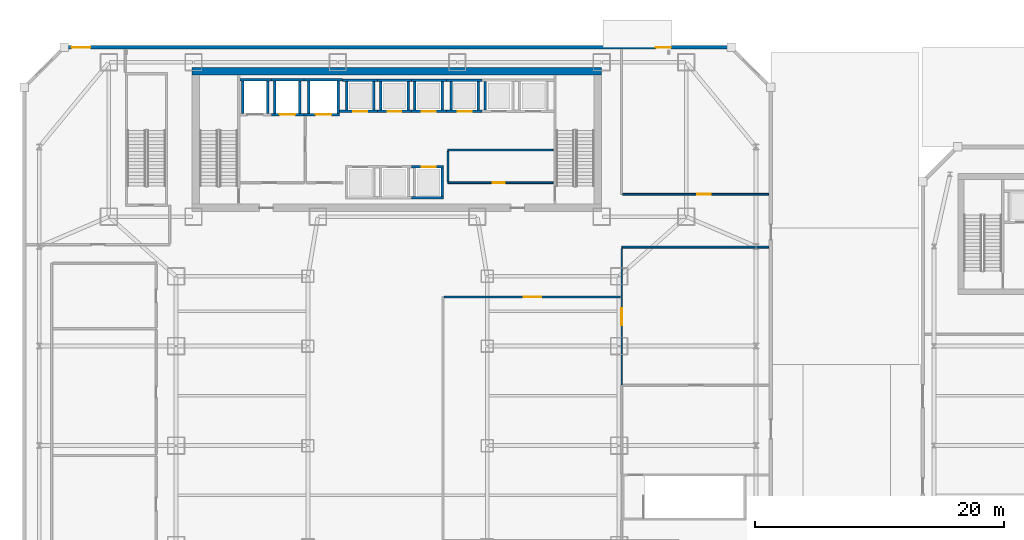
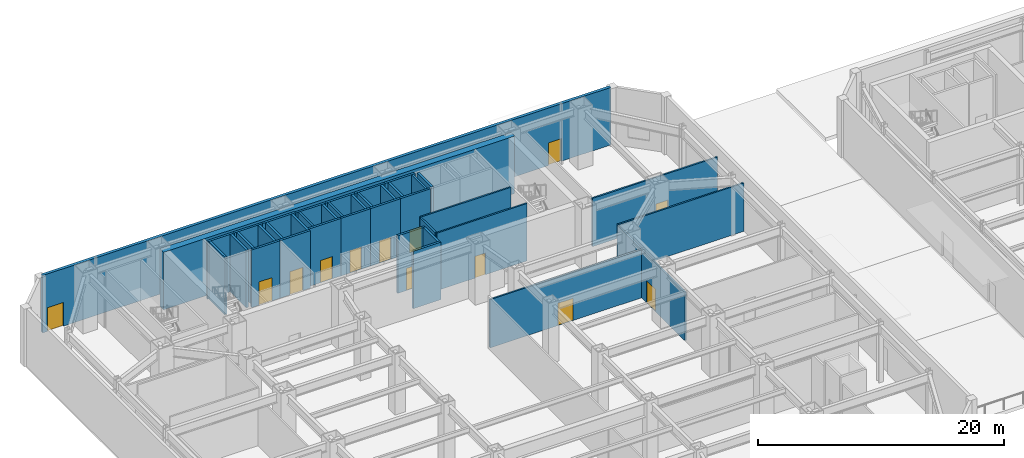
# One storey, part 13 of 23: 40 walls, 13 doors, 13 openings.
"""IFC4 building model written with IfcOpenShell, lengths in metres."""

from ifc_helpers import new_model, si_unit, direction, frame, frame_2d, origin, place, context, subcontext, project, spatial, rectangle, extrude, material, layer, layer_set, type_object, element, fill, save


model = new_model("IFC4")

# Units and contexts
model_context = context("Model", 3, precision=1e-05, world=origin(), true_north=direction((0.0, 1.0)))
body_context = subcontext(model_context, "Body", "Model", "MODEL_VIEW")
ifc_project = project(units=[si_unit("LENGTHUNIT", "METRE"), si_unit("AREAUNIT", "SQUARE_METRE"), si_unit("VOLUMEUNIT", "CUBIC_METRE"), si_unit("PLANEANGLEUNIT", "RADIAN"), si_unit("MASSUNIT", "GRAM", prefix="KILO")], contexts=[model_context])

# Site, building, storey
site_placement = place(None, origin())
site = spatial("IfcSite", under=ifc_project, at=site_placement, CompositionType="ELEMENT")
building_placement = place(site_placement, origin())
building = spatial("IfcBuilding", under=site, at=building_placement, Name="Saevonmaru Cultural Tower", CompositionType="ELEMENT")
storey_placement = place(building_placement, origin())
storey = spatial("IfcBuildingStorey", under=building, at=storey_placement, Name="L00", CompositionType="ELEMENT", Elevation=0.0)

# Wall
ifc_material_1 = material(Name="Concrete C60/75", Category="concrete")
ifc_layer_1 = layer(ifc_material_1, 0.60009765625, Name="Concrete C60/75")
ifc_layer_set_1 = layer_set([ifc_layer_1], Name="Concrete C60/75")
wall_type_1 = type_object("IfcWallType", Name="WL-CORE-600", PredefinedType="SHEAR", material=ifc_layer_set_1)
wall_1_placement = place(storey_placement, frame((13.5, 54.10009765625, 0.0), z_axis=(0.0, 0.0, 1.0), x_axis=(1.0, 0.0, 0.0)))
element("IfcWall", 1, at=wall_1_placement, inside=storey, type_object=wall_type_1, Name="L00 Tower RC core shear wall N", PredefinedType="SHEAR", context=body_context, shape_type="SweptSolid", body=[
    extrude(rectangle(XDim=32.89990234375, YDim=0.60009765625, at=frame_2d((16.449951171875, 0.0))), origin(), (0.0, 0.0, 1.0), 5.699951171875),
])

# Wall, opening, door
ifc_material_2 = material(Name="Gypsum Fireboard Partition", Category="gypsum")
ifc_layer_2 = layer(ifc_material_2, 0.14990234375, Name="Gypsum Fireboard Partition")
ifc_layer_set_2 = layer_set([ifc_layer_2], Name="Gypsum Fireboard Partition")
wall_type_2 = type_object("IfcWallType", Name="WL-CORE-PART-150", PredefinedType="PARTITIONING", material=ifc_layer_set_2)
wall_2_placement = place(storey_placement, frame((34.050048828125, 45.1201171875, 0.0), z_axis=(0.0, 0.0, 1.0), x_axis=(1.0, 0.0, 0.0)))
wall_2 = element("IfcWall", 2, at=wall_2_placement, inside=storey, type_object=wall_type_2, Name="L00 Core Service South Wall", PredefinedType="PARTITIONING", context=body_context, shape_type="SweptSolid", body=[
    extrude(rectangle(XDim=8.449951171875, YDim=0.14990234375, at=frame_2d((4.22509765625, 0.0))), origin(), (0.0, 0.0, 1.0), 5.699951171875),
])
opening_1_placement = place(wall_2_placement, frame((3.60009765625, 0.0, 0.0)))
opening_1 = element("IfcOpeningElement", 3, at=opening_1_placement, cuts=wall_2, Name="Opening FD-4", PredefinedType="OPENING", context=body_context, shape_type="SweptSolid", body=[
    extrude(rectangle(XDim=0.949951171875, YDim=2.14990234375, at=frame_2d((0.47509765625, 1.074951171875))), frame((0.0, 0.0849609375, 0.0), z_axis=(0.0, -1.0, 0.0), x_axis=(1.0, 0.0, 0.0)), (0.0, 0.0, 1.0), 0.169921875),
])
ifc_material_3 = material(Name="Satin Bronze Anodised Aluminium", Category="aluminium")
door_type_1 = type_object("IfcDoorType", Name="DR-FD60-950", OperationType="SINGLE_SWING_LEFT", PredefinedType="DOOR", material=ifc_material_3)
door_1_placement = place(opening_1_placement, origin())
door_1 = element("IfcDoor", 4, at=door_1_placement, inside=storey, type_object=door_type_1, Name="L00 Telecom Riser Plant Door", OperationType="SINGLE_SWING_LEFT", OverallHeight=2.14990234375, OverallWidth=0.949951171875, PredefinedType="DOOR", context=body_context, shape_type="SweptSolid", body=[
    extrude(rectangle(XDim=0.949951171875, YDim=2.14990234375, at=frame_2d((0.47509765625, 1.074951171875))), frame((0.0, 0.02490234375, 0.0), z_axis=(0.0, -1.0, 0.0), x_axis=(1.0, 0.0, 0.0)), (0.0, 0.0, 1.0), 0.050048828125),
])
fill(opening_1, door_1)

# Walls
wall_3_placement = place(storey_placement, frame((34.050048828125, 47.75, 0.0), z_axis=(0.0, 0.0, 1.0), x_axis=(1.0, 0.0, 0.0)))
element("IfcWall", 5, at=wall_3_placement, inside=storey, type_object=wall_type_2, Name="L00 Core Service North Wall", PredefinedType="PARTITIONING", context=body_context, shape_type="SweptSolid", body=[
    extrude(rectangle(XDim=8.449951171875, YDim=0.14990234375, at=frame_2d((4.22509765625, 0.0))), origin(), (0.0, 0.0, 1.0), 5.699951171875),
])
wall_4_placement = place(storey_placement, frame((34.050048828125, 45.219970703125, 0.0), z_axis=(0.0, 0.0, 1.0), x_axis=(0.0, 1.0, 0.0)))
element("IfcWall", 6, at=wall_4_placement, inside=storey, type_object=wall_type_2, Name="L00 Core Service West Wall", PredefinedType="PARTITIONING", context=body_context, shape_type="SweptSolid", body=[
    extrude(rectangle(XDim=2.429931640625, YDim=0.14990234375, at=frame_2d((1.21484375, 0.0))), origin(), (0.0, 0.0, 1.0), 5.699951171875),
])

# Wall, openings, doors
ifc_material_4 = material(Name="Granite-Clad Precast Concrete C40/50", Category="masonry")
ifc_layer_3 = layer(ifc_material_4, 0.280029296875, Name="Granite-Clad Precast Concrete C40/50")
ifc_layer_set_3 = layer_set([ifc_layer_3], Name="Granite-Clad Precast Concrete C40/50")
wall_type_3 = type_object("IfcWallType", Name="WL-EXT-SPANDREL-280", PredefinedType="STANDARD", material=ifc_layer_set_3)
wall_5_placement = place(storey_placement, frame((3.360107421875, 56.0, 0.0), z_axis=(0.0, 0.0, 1.0), x_axis=(1.0, 0.0, 0.0)))
wall_5 = element("IfcWall", 7, at=wall_5_placement, inside=storey, type_object=wall_type_3, Name="L00 Podium Bronze-Granite Exterior Wall E6", PredefinedType="STANDARD", context=body_context, shape_type="SweptSolid", body=[
    extrude(rectangle(XDim=53.27978515625, YDim=0.280029296875, at=frame_2d((26.639892578125, 0.0))), origin(), (0.0, 0.0, 1.0), 5.699951171875),
])
opening_2_placement = place(wall_5_placement, frame((0.449951171875, 0.0, 0.0)))
opening_2 = element("IfcOpeningElement", 8, at=opening_2_placement, cuts=wall_5, Name="Opening EXD-1B", PredefinedType="OPENING", context=body_context, shape_type="SweptSolid", body=[
    extrude(rectangle(XDim=1.5, YDim=2.35009765625, at=frame_2d((0.75, 1.175048828125))), frame((0.0, 0.14990234375, 0.0), z_axis=(0.0, -1.0, 0.0), x_axis=(1.0, 0.0, 0.0)), (0.0, 0.0, 1.0), 0.300048828125),
])
opening_3_placement = place(wall_5_placement, frame((47.39990234375, 0.0, 0.0)))
opening_3 = element("IfcOpeningElement", 9, at=opening_3_placement, cuts=wall_5, Name="Opening EXD-2", PredefinedType="OPENING", context=body_context, shape_type="SweptSolid", body=[
    extrude(rectangle(XDim=1.199951171875, YDim=2.25, at=frame_2d((0.60009765625, 1.125))), frame((0.0, 0.14990234375, 0.0), z_axis=(0.0, -1.0, 0.0), x_axis=(1.0, 0.0, 0.0)), (0.0, 0.0, 1.0), 0.300048828125),
])
door_type_2 = type_object("IfcDoorType", Name="DR-EXIT-1200", OperationType="SINGLE_SWING_LEFT", PredefinedType="DOOR", material=ifc_material_3)
door_2_placement = place(opening_3_placement, origin())
door_2 = element("IfcDoor", 10, at=door_2_placement, inside=storey, type_object=door_type_2, Name="North Promenade Street Exit Door EX-06", OperationType="SINGLE_SWING_LEFT", OverallHeight=2.25, OverallWidth=1.199951171875, PredefinedType="DOOR", context=body_context, shape_type="SweptSolid", body=[
    extrude(rectangle(XDim=1.199951171875, YDim=2.25, at=frame_2d((0.60009765625, 1.125))), frame((0.0, 0.02490234375, 0.0), z_axis=(0.0, -1.0, 0.0), x_axis=(1.0, 0.0, 0.0)), (0.0, 0.0, 1.0), 0.050048828125),
])
fill(opening_3, door_2)
door_type_3 = type_object("IfcDoorType", Name="DR-EXIT-1500", OperationType="DOUBLE_DOOR_SINGLE_SWING", PredefinedType="DOOR", material=ifc_material_3)
door_3_placement = place(opening_2_placement, origin())
door_3 = element("IfcDoor", 11, at=door_3_placement, inside=storey, type_object=door_type_3, Name="North Promenade Street Exit Door EX-05", OperationType="DOUBLE_DOOR_SINGLE_SWING", OverallHeight=2.35009765625, OverallWidth=1.5, PredefinedType="DOOR", context=body_context, shape_type="SweptSolid", body=[
    extrude(rectangle(XDim=1.5, YDim=2.35009765625, at=frame_2d((0.75, 1.175048828125))), frame((0.0, 0.02490234375, 0.0), z_axis=(0.0, -1.0, 0.0), x_axis=(1.0, 0.0, 0.0)), (0.0, 0.0, 1.0), 0.050048828125),
])
fill(opening_2, door_3)

# Wall
ifc_layer_4 = layer(ifc_material_2, 0.14990234375, Name="Gypsum Fireboard Partition")
ifc_layer_set_4 = layer_set([ifc_layer_4], Name="Gypsum Fireboard Partition")
wall_type_4 = type_object("IfcWallType", Name="WL-PART-FIRE-150", PredefinedType="PARTITIONING", material=ifc_layer_set_4)
wall_6_placement = place(storey_placement, frame((48.02001953125, 39.949951171875, 0.0), z_axis=(0.0, 0.0, 1.0), x_axis=(1.0, 0.0, 0.0)))
element("IfcWall", 12, at=wall_6_placement, inside=storey, type_object=wall_type_4, Name="L00 Station Hall North Wall", PredefinedType="PARTITIONING", context=body_context, shape_type="SweptSolid", body=[
    extrude(rectangle(XDim=11.820068359375, YDim=0.14990234375, at=frame_2d((5.91015625, 0.0))), origin(), (0.0, 0.0, 1.0), 4.784912109375),
])

# Wall, opening, door
wall_7_placement = place(storey_placement, frame((48.02001953125, 28.85009765625, 0.0), z_axis=(0.0, 0.0, 1.0), x_axis=(0.0, 1.0, 0.0)))
wall_7 = element("IfcWall", 13, at=wall_7_placement, inside=storey, type_object=wall_type_4, Name="L00 Station Hall Foyer Wall", PredefinedType="PARTITIONING", context=body_context, shape_type="SweptSolid", body=[
    extrude(rectangle(XDim=11.0048828125, YDim=0.14990234375, at=frame_2d((5.50244140625, 0.0))), origin(), (0.0, 0.0, 1.0), 4.784912109375),
])
opening_4_placement = place(wall_7_placement, frame((4.802001953125, 0.0, 0.0)))
opening_4 = element("IfcOpeningElement", 14, at=opening_4_placement, cuts=wall_7, Name="Opening FD-0", PredefinedType="OPENING", context=body_context, shape_type="SweptSolid", body=[
    extrude(rectangle(XDim=1.39990234375, YDim=2.199951171875, at=frame_2d((0.699951171875, 1.10009765625))), frame((0.0, 0.0849609375, 0.0), z_axis=(0.0, -1.0, 0.0), x_axis=(1.0, 0.0, 0.0)), (0.0, 0.0, 1.0), 0.169921875),
])
door_type_4 = type_object("IfcDoorType", Name="DR-FD60-1400", OperationType="DOUBLE_DOOR_SINGLE_SWING", PredefinedType="DOOR", material=ifc_material_3)
door_4_placement = place(opening_4_placement, origin())
door_4 = element("IfcDoor", 15, at=door_4_placement, inside=storey, type_object=door_type_4, Name="L00 Metro Concourse Escalator Hall Door", OperationType="DOUBLE_DOOR_SINGLE_SWING", OverallHeight=2.199951171875, OverallWidth=1.39990234375, PredefinedType="DOOR", context=body_context, shape_type="SweptSolid", body=[
    extrude(rectangle(XDim=1.39990234375, YDim=2.199951171875, at=frame_2d((0.699951171875, 1.10009765625))), frame((0.0, 0.02490234375, 0.0), z_axis=(0.0, -1.0, 0.0), x_axis=(1.0, 0.0, 0.0)), (0.0, 0.0, 1.0), 0.050048828125),
])
fill(opening_4, door_4)

wall_8_placement = place(storey_placement, frame((33.7451171875, 35.949951171875, 0.0), z_axis=(0.0, 0.0, 1.0), x_axis=(1.0, 0.0, 0.0)))
wall_8 = element("IfcWall", 16, at=wall_8_placement, inside=storey, type_object=wall_type_4, Name="L00 Orientation Auditorium North Wall", PredefinedType="PARTITIONING", context=body_context, shape_type="SweptSolid", body=[
    extrude(rectangle(XDim=14.179931640625, YDim=0.14990234375, at=frame_2d((7.08984375, 0.0))), origin(), (0.0, 0.0, 1.0), 4.784912109375),
])
opening_5_placement = place(wall_8_placement, frame((6.389892578125, 0.0, 0.0)))
opening_5 = element("IfcOpeningElement", 17, at=opening_5_placement, cuts=wall_8, Name="Opening FD-0", PredefinedType="OPENING", context=body_context, shape_type="SweptSolid", body=[
    extrude(rectangle(XDim=1.39990234375, YDim=2.199951171875, at=frame_2d((0.699951171875, 1.10009765625))), frame((0.0, 0.0849609375, 0.0), z_axis=(0.0, -1.0, 0.0), x_axis=(1.0, 0.0, 0.0)), (0.0, 0.0, 1.0), 0.169921875),
])
door_5_placement = place(opening_5_placement, origin())
door_5 = element("IfcDoor", 18, at=door_5_placement, inside=storey, type_object=door_type_4, Name="L00 Curatorial Orientation Auditorium Door", OperationType="DOUBLE_DOOR_SINGLE_SWING", OverallHeight=2.199951171875, OverallWidth=1.39990234375, PredefinedType="DOOR", context=body_context, shape_type="SweptSolid", body=[
    extrude(rectangle(XDim=1.39990234375, YDim=2.199951171875, at=frame_2d((0.699951171875, 1.10009765625))), frame((0.0, 0.02490234375, 0.0), z_axis=(0.0, -1.0, 0.0), x_axis=(1.0, 0.0, 0.0)), (0.0, 0.0, 1.0), 0.050048828125),
])
fill(opening_5, door_5)

wall_9_placement = place(storey_placement, frame((59.840087890625, 44.199951171875, 0.0), z_axis=(0.0, 0.0, 1.0), x_axis=(-1.0, 0.0, 0.0)))
wall_9 = element("IfcWall", 19, at=wall_9_placement, inside=storey, type_object=wall_type_4, Name="L00 East Exit Passageway Wall", PredefinedType="PARTITIONING", context=body_context, shape_type="SweptSolid", body=[
    extrude(rectangle(XDim=11.7451171875, YDim=0.14990234375, at=frame_2d((5.87255859375, 0.0))), origin(), (0.0, 0.0, 1.0), 4.784912109375),
])
opening_6_placement = place(wall_9_placement, frame((4.6630859375, 0.0, 0.0)))
opening_6 = element("IfcOpeningElement", 20, at=opening_6_placement, cuts=wall_9, Name="Opening FD-2", PredefinedType="OPENING", context=body_context, shape_type="SweptSolid", body=[
    extrude(rectangle(XDim=1.10009765625, YDim=2.14990234375, at=frame_2d((0.550048828125, 1.074951171875))), frame((0.0, 0.0849609375, 0.0), z_axis=(0.0, -1.0, 0.0), x_axis=(1.0, 0.0, 0.0)), (0.0, 0.0, 1.0), 0.169921875),
])
door_type_5 = type_object("IfcDoorType", Name="DR-FD60-1100", OperationType="SINGLE_SWING_LEFT", PredefinedType="DOOR", material=ifc_material_3)
door_6_placement = place(opening_6_placement, origin())
door_6 = element("IfcDoor", 21, at=door_6_placement, inside=storey, type_object=door_type_5, Name="L00 East Exit Passageway Vestibule Door", OperationType="SINGLE_SWING_RIGHT", OverallHeight=2.14990234375, OverallWidth=1.10009765625, PredefinedType="DOOR", context=body_context, shape_type="SweptSolid", body=[
    extrude(rectangle(XDim=1.10009765625, YDim=2.14990234375, at=frame_2d((0.550048828125, 1.074951171875))), frame((0.0, 0.02490234375, 0.0), z_axis=(0.0, -1.0, 0.0), x_axis=(1.0, 0.0, 0.0)), (0.0, 0.0, 1.0), 0.050048828125),
])
fill(opening_6, door_6)

# Walls
ifc_material_5 = material(Name="Concrete C40/50", Category="concrete")
ifc_layer_5 = layer(ifc_material_5, 0.199951171875, Name="Concrete C40/50")
ifc_layer_set_5 = layer_set([ifc_layer_5], Name="Concrete C40/50")
wall_type_5 = type_object("IfcWallType", Name="WL-SHAFT-200", PredefinedType="SHEAR", material=ifc_layer_set_5)
wall_10_placement = place(storey_placement, frame((17.330078125, 53.39990234375, 0.0), z_axis=(0.0, 0.0, 1.0), x_axis=(1.0, 0.0, 0.0)))
element("IfcWall", 22, at=wall_10_placement, inside=storey, type_object=wall_type_5, Name="L00 Lift FFL-1 Hoistway Wall N", PredefinedType="SHEAR", context=body_context, shape_type="SweptSolid", body=[
    extrude(rectangle(XDim=2.52001953125, YDim=0.199951171875, at=frame_2d((1.260009765625, 0.0))), origin(), (0.0, 0.0, 1.0), 5.699951171875),
])
for number, where, z_axis, x_axis, name in (
    (23, (17.550048828125, 50.699951171875, 0.0), (0.0, 0.0, 1.0), (0.0, 1.0, 0.0), "L00 Lift FFL-1 Hoistway Wall W"),
    (24, (19.550048828125, 50.699951171875, 0.0), (0.0, 0.0, 1.0), (0.0, 1.0, 0.0), "L00 Lift FFL-1 Hoistway Wall E"),
):
    element("IfcWall", number, at=place(storey_placement, frame(where, z_axis=z_axis, x_axis=x_axis)), inside=storey, type_object=wall_type_5, Name=name, PredefinedType="SHEAR", context=body_context, shape_type="SweptSolid", body=[
        extrude(rectangle(XDim=2.60009765625, YDim=0.199951171875, at=frame_2d((1.300048828125, 0.0))), origin(), (0.0, 0.0, 1.0), 5.699951171875),
    ])

# Wall, opening, door
wall_11_placement = place(storey_placement, frame((19.85009765625, 50.60009765625, 0.0), z_axis=(0.0, 0.0, 1.0), x_axis=(1.0, 0.0, 0.0)))
wall_11 = element("IfcWall", 25, at=wall_11_placement, inside=storey, type_object=wall_type_5, Name="L00 Lift FFL-2 Hoistway Wall S", PredefinedType="SHEAR", context=body_context, shape_type="SweptSolid", body=[
    extrude(rectangle(XDim=2.64990234375, YDim=0.199951171875, at=frame_2d((1.324951171875, 0.0))), origin(), (0.0, 0.0, 1.0), 5.699951171875),
])
opening_7_placement = place(wall_11_placement, frame((0.675048828125, 0.0, 0.0)))
opening_7 = element("IfcOpeningElement", 26, at=opening_7_placement, cuts=wall_11, Name="Opening LD-2", PredefinedType="OPENING", context=body_context, shape_type="SweptSolid", body=[
    extrude(rectangle(XDim=1.25, YDim=2.300048828125, at=frame_2d((0.625, 1.14990234375))), frame((0.0, 0.10986328125, 0.0), z_axis=(0.0, -1.0, 0.0), x_axis=(1.0, 0.0, 0.0)), (0.0, 0.0, 1.0), 0.219970703125),
])
ifc_material_6 = material(Name="Stainless Steel 316", Category="steel")
door_type_6 = type_object("IfcDoorType", Name="DR-LIFT-1250", OperationType="SLIDING_TO_LEFT", PredefinedType="DOOR", material=ifc_material_6)
door_7_placement = place(opening_7_placement, origin())
door_7 = element("IfcDoor", 27, at=door_7_placement, inside=storey, type_object=door_type_6, Name="L00 Lift FFL-2 Sliding Landing Door", OperationType="SLIDING_TO_LEFT", OverallHeight=2.300048828125, OverallWidth=1.25, PredefinedType="DOOR", context=body_context, shape_type="SweptSolid", body=[
    extrude(rectangle(XDim=1.25, YDim=2.300048828125, at=frame_2d((0.625, 1.14990234375))), frame((0.0, 0.02490234375, 0.0), z_axis=(0.0, -1.0, 0.0), x_axis=(1.0, 0.0, 0.0)), (0.0, 0.0, 1.0), 0.050048828125),
])
fill(opening_7, door_7)

# Walls
wall_12_placement = place(storey_placement, frame((19.85009765625, 53.39990234375, 0.0), z_axis=(0.0, 0.0, 1.0), x_axis=(1.0, 0.0, 0.0)))
element("IfcWall", 28, at=wall_12_placement, inside=storey, type_object=wall_type_5, Name="L00 Lift FFL-2 Hoistway Wall N", PredefinedType="SHEAR", context=body_context, shape_type="SweptSolid", body=[
    extrude(rectangle(XDim=2.64990234375, YDim=0.199951171875, at=frame_2d((1.324951171875, 0.0))), origin(), (0.0, 0.0, 1.0), 5.699951171875),
])
for number, where, z_axis, x_axis, name in (
    (29, (20.14990234375, 50.699951171875, 0.0), (0.0, 0.0, 1.0), (0.0, 1.0, 0.0), "L00 Lift FFL-2 Hoistway Wall W"),
    (30, (22.14990234375, 50.699951171875, 0.0), (0.0, 0.0, 1.0), (0.0, 1.0, 0.0), "L00 Lift FFL-2 Hoistway Wall E"),
):
    element("IfcWall", number, at=place(storey_placement, frame(where, z_axis=z_axis, x_axis=x_axis)), inside=storey, type_object=wall_type_5, Name=name, PredefinedType="SHEAR", context=body_context, shape_type="SweptSolid", body=[
        extrude(rectangle(XDim=2.60009765625, YDim=0.199951171875, at=frame_2d((1.300048828125, 0.0))), origin(), (0.0, 0.0, 1.0), 5.699951171875),
    ])

# Wall, opening, door
wall_13_placement = place(storey_placement, frame((22.5, 50.60009765625, 0.0), z_axis=(0.0, 0.0, 1.0), x_axis=(1.0, 0.0, 0.0)))
wall_13 = element("IfcWall", 31, at=wall_13_placement, inside=storey, type_object=wall_type_5, Name="L00 Lift GL-1 Hoistway Wall S", PredefinedType="SHEAR", context=body_context, shape_type="SweptSolid", body=[
    extrude(rectangle(XDim=2.85009765625, YDim=0.199951171875, at=frame_2d((1.425048828125, 0.0))), origin(), (0.0, 0.0, 1.0), 5.699951171875),
])
opening_8_placement = place(wall_13_placement, frame((0.925048828125, 0.0, 0.0)))
opening_8 = element("IfcOpeningElement", 32, at=opening_8_placement, cuts=wall_13, Name="Opening LD-2", PredefinedType="OPENING", context=body_context, shape_type="SweptSolid", body=[
    extrude(rectangle(XDim=1.25, YDim=2.300048828125, at=frame_2d((0.625, 1.14990234375))), frame((0.0, 0.10986328125, 0.0), z_axis=(0.0, -1.0, 0.0), x_axis=(1.0, 0.0, 0.0)), (0.0, 0.0, 1.0), 0.219970703125),
])
door_8_placement = place(opening_8_placement, origin())
door_8 = element("IfcDoor", 33, at=door_8_placement, inside=storey, type_object=door_type_6, Name="L00 Lift GL-1 Sliding Landing Door", OperationType="SLIDING_TO_LEFT", OverallHeight=2.300048828125, OverallWidth=1.25, PredefinedType="DOOR", context=body_context, shape_type="SweptSolid", body=[
    extrude(rectangle(XDim=1.25, YDim=2.300048828125, at=frame_2d((0.625, 1.14990234375))), frame((0.0, 0.02490234375, 0.0), z_axis=(0.0, -1.0, 0.0), x_axis=(1.0, 0.0, 0.0)), (0.0, 0.0, 1.0), 0.050048828125),
])
fill(opening_8, door_8)

# Walls
wall_14_placement = place(storey_placement, frame((22.5, 53.39990234375, 0.0), z_axis=(0.0, 0.0, 1.0), x_axis=(1.0, 0.0, 0.0)))
element("IfcWall", 34, at=wall_14_placement, inside=storey, type_object=wall_type_5, Name="L00 Lift GL-1 Hoistway Wall N", PredefinedType="SHEAR", context=body_context, shape_type="SweptSolid", body=[
    extrude(rectangle(XDim=3.074951171875, YDim=0.199951171875, at=frame_2d((1.53759765625, 0.0))), origin(), (0.0, 0.0, 1.0), 5.699951171875),
])
for number, where, z_axis, x_axis, name in (
    (35, (22.85009765625, 50.699951171875, 0.0), (0.0, 0.0, 1.0), (0.0, 1.0, 0.0), "L00 Lift GL-1 Hoistway Wall W"),
    (36, (25.25, 50.699951171875, 0.0), (0.0, 0.0, 1.0), (0.0, 1.0, 0.0), "L00 Lift GL-1 Hoistway Wall E"),
):
    element("IfcWall", number, at=place(storey_placement, frame(where, z_axis=z_axis, x_axis=x_axis)), inside=storey, type_object=wall_type_5, Name=name, PredefinedType="SHEAR", context=body_context, shape_type="SweptSolid", body=[
        extrude(rectangle(XDim=2.60009765625, YDim=0.199951171875, at=frame_2d((1.300048828125, 0.0))), origin(), (0.0, 0.0, 1.0), 5.699951171875),
    ])

# Wall, opening, door
wall_15_placement = place(storey_placement, frame((25.35009765625, 50.85009765625, 0.0), z_axis=(0.0, 0.0, 1.0), x_axis=(1.0, 0.0, 0.0)))
wall_15 = element("IfcWall", 37, at=wall_15_placement, inside=storey, type_object=wall_type_5, Name="L00 Lift PL-L1 Hoistway Wall S", PredefinedType="SHEAR", context=body_context, shape_type="SweptSolid", body=[
    extrude(rectangle(XDim=3.02490234375, YDim=0.199951171875, at=frame_2d((1.512451171875, 0.0))), origin(), (0.0, 0.0, 1.0), 5.699951171875),
])
opening_9_placement = place(wall_15_placement, frame((1.10009765625, 0.0, 0.0)))
opening_9 = element("IfcOpeningElement", 38, at=opening_9_placement, cuts=wall_15, Name="Opening LD-1", PredefinedType="OPENING", context=body_context, shape_type="SweptSolid", body=[
    extrude(rectangle(XDim=1.10009765625, YDim=2.199951171875, at=frame_2d((0.550048828125, 1.10009765625))), frame((0.0, 0.10986328125, 0.0), z_axis=(0.0, -1.0, 0.0), x_axis=(1.0, 0.0, 0.0)), (0.0, 0.0, 1.0), 0.219970703125),
])
ifc_material_7 = material(Name="Satin Bronze Stainless Steel", Category="steel")
door_type_7 = type_object("IfcDoorType", Name="DR-LIFT-1100", OperationType="SLIDING_TO_LEFT", PredefinedType="DOOR", material=ifc_material_7)
door_9_placement = place(opening_9_placement, origin())
door_9 = element("IfcDoor", 39, at=door_9_placement, inside=storey, type_object=door_type_7, Name="L00 Lift PL-L1 Sliding Landing Door", OperationType="SLIDING_TO_LEFT", OverallHeight=2.199951171875, OverallWidth=1.10009765625, PredefinedType="DOOR", context=body_context, shape_type="SweptSolid", body=[
    extrude(rectangle(XDim=1.10009765625, YDim=2.199951171875, at=frame_2d((0.550048828125, 1.10009765625))), frame((0.0, 0.02490234375, 0.0), z_axis=(0.0, -1.0, 0.0), x_axis=(1.0, 0.0, 0.0)), (0.0, 0.0, 1.0), 0.050048828125),
])
fill(opening_9, door_9)

# Walls
wall_16_placement = place(storey_placement, frame((25.574951171875, 53.35009765625, 0.0), z_axis=(0.0, 0.0, 1.0), x_axis=(1.0, 0.0, 0.0)))
element("IfcWall", 40, at=wall_16_placement, inside=storey, type_object=wall_type_5, Name="L00 Lift PL-L1 Hoistway Wall N", PredefinedType="SHEAR", context=body_context, shape_type="SweptSolid", body=[
    extrude(rectangle(XDim=2.800048828125, YDim=0.199951171875, at=frame_2d((1.39990234375, 0.0))), origin(), (0.0, 0.0, 1.0), 5.699951171875),
])
for number, where, z_axis, x_axis, name in (
    (41, (25.89990234375, 50.949951171875, 0.0), (0.0, 0.0, 1.0), (0.0, 1.0, 0.0), "L00 Lift PL-L1 Hoistway Wall W"),
    (42, (28.10009765625, 50.949951171875, 0.0), (0.0, 0.0, 1.0), (0.0, 1.0, 0.0), "L00 Lift PL-L1 Hoistway Wall E"),
):
    element("IfcWall", number, at=place(storey_placement, frame(where, z_axis=z_axis, x_axis=x_axis)), inside=storey, type_object=wall_type_5, Name=name, PredefinedType="SHEAR", context=body_context, shape_type="SweptSolid", body=[
        extrude(rectangle(XDim=2.300048828125, YDim=0.199951171875, at=frame_2d((1.14990234375, 0.0))), origin(), (0.0, 0.0, 1.0), 5.699951171875),
    ])

# Wall, opening, door
wall_17_placement = place(storey_placement, frame((28.375, 50.85009765625, 0.0), z_axis=(0.0, 0.0, 1.0), x_axis=(1.0, 0.0, 0.0)))
wall_17 = element("IfcWall", 43, at=wall_17_placement, inside=storey, type_object=wall_type_5, Name="L00 Lift PL-L2 Hoistway Wall S", PredefinedType="SHEAR", context=body_context, shape_type="SweptSolid", body=[
    extrude(rectangle(XDim=2.75, YDim=0.199951171875, at=frame_2d((1.375, 0.0))), origin(), (0.0, 0.0, 1.0), 5.699951171875),
])
opening_10_placement = place(wall_17_placement, frame((0.824951171875, 0.0, 0.0)))
opening_10 = element("IfcOpeningElement", 44, at=opening_10_placement, cuts=wall_17, Name="Opening LD-1", PredefinedType="OPENING", context=body_context, shape_type="SweptSolid", body=[
    extrude(rectangle(XDim=1.10009765625, YDim=2.199951171875, at=frame_2d((0.550048828125, 1.10009765625))), frame((0.0, 0.10986328125, 0.0), z_axis=(0.0, -1.0, 0.0), x_axis=(1.0, 0.0, 0.0)), (0.0, 0.0, 1.0), 0.219970703125),
])
door_10_placement = place(opening_10_placement, origin())
door_10 = element("IfcDoor", 45, at=door_10_placement, inside=storey, type_object=door_type_7, Name="L00 Lift PL-L2 Sliding Landing Door", OperationType="SLIDING_TO_LEFT", OverallHeight=2.199951171875, OverallWidth=1.10009765625, PredefinedType="DOOR", context=body_context, shape_type="SweptSolid", body=[
    extrude(rectangle(XDim=1.10009765625, YDim=2.199951171875, at=frame_2d((0.550048828125, 1.10009765625))), frame((0.0, 0.02490234375, 0.0), z_axis=(0.0, -1.0, 0.0), x_axis=(1.0, 0.0, 0.0)), (0.0, 0.0, 1.0), 0.050048828125),
])
fill(opening_10, door_10)

# Walls
wall_18_placement = place(storey_placement, frame((28.375, 53.35009765625, 0.0), z_axis=(0.0, 0.0, 1.0), x_axis=(1.0, 0.0, 0.0)))
element("IfcWall", 46, at=wall_18_placement, inside=storey, type_object=wall_type_5, Name="L00 Lift PL-L2 Hoistway Wall N", PredefinedType="SHEAR", context=body_context, shape_type="SweptSolid", body=[
    extrude(rectangle(XDim=2.75, YDim=0.199951171875, at=frame_2d((1.375, 0.0))), origin(), (0.0, 0.0, 1.0), 5.699951171875),
])
for number, where, z_axis, x_axis, name in (
    (47, (28.64990234375, 50.949951171875, 0.0), (0.0, 0.0, 1.0), (0.0, 1.0, 0.0), "L00 Lift PL-L2 Hoistway Wall W"),
    (48, (30.85009765625, 50.949951171875, 0.0), (0.0, 0.0, 1.0), (0.0, 1.0, 0.0), "L00 Lift PL-L2 Hoistway Wall E"),
):
    element("IfcWall", number, at=place(storey_placement, frame(where, z_axis=z_axis, x_axis=x_axis)), inside=storey, type_object=wall_type_5, Name=name, PredefinedType="SHEAR", context=body_context, shape_type="SweptSolid", body=[
        extrude(rectangle(XDim=2.300048828125, YDim=0.199951171875, at=frame_2d((1.14990234375, 0.0))), origin(), (0.0, 0.0, 1.0), 5.699951171875),
    ])

# Wall, opening, door
wall_19_placement = place(storey_placement, frame((31.125, 50.85009765625, 0.0), z_axis=(0.0, 0.0, 1.0), x_axis=(1.0, 0.0, 0.0)))
wall_19 = element("IfcWall", 49, at=wall_19_placement, inside=storey, type_object=wall_type_5, Name="L00 Lift PL-L3 Hoistway Wall S", PredefinedType="SHEAR", context=body_context, shape_type="SweptSolid", body=[
    extrude(rectangle(XDim=2.824951171875, YDim=0.199951171875, at=frame_2d((1.41259765625, 0.0))), origin(), (0.0, 0.0, 1.0), 5.699951171875),
])
opening_11_placement = place(wall_19_placement, frame((0.824951171875, 0.0, 0.0)))
opening_11 = element("IfcOpeningElement", 50, at=opening_11_placement, cuts=wall_19, Name="Opening LD-1", PredefinedType="OPENING", context=body_context, shape_type="SweptSolid", body=[
    extrude(rectangle(XDim=1.10009765625, YDim=2.199951171875, at=frame_2d((0.550048828125, 1.10009765625))), frame((0.0, 0.10986328125, 0.0), z_axis=(0.0, -1.0, 0.0), x_axis=(1.0, 0.0, 0.0)), (0.0, 0.0, 1.0), 0.219970703125),
])
door_11_placement = place(opening_11_placement, origin())
door_11 = element("IfcDoor", 51, at=door_11_placement, inside=storey, type_object=door_type_7, Name="L00 Lift PL-L3 Sliding Landing Door", OperationType="SLIDING_TO_LEFT", OverallHeight=2.199951171875, OverallWidth=1.10009765625, PredefinedType="DOOR", context=body_context, shape_type="SweptSolid", body=[
    extrude(rectangle(XDim=1.10009765625, YDim=2.199951171875, at=frame_2d((0.550048828125, 1.10009765625))), frame((0.0, 0.02490234375, 0.0), z_axis=(0.0, -1.0, 0.0), x_axis=(1.0, 0.0, 0.0)), (0.0, 0.0, 1.0), 0.050048828125),
])
fill(opening_11, door_11)

# Walls
wall_20_placement = place(storey_placement, frame((31.125, 53.35009765625, 0.0), z_axis=(0.0, 0.0, 1.0), x_axis=(1.0, 0.0, 0.0)))
element("IfcWall", 52, at=wall_20_placement, inside=storey, type_object=wall_type_5, Name="L00 Lift PL-L3 Hoistway Wall N", PredefinedType="SHEAR", context=body_context, shape_type="SweptSolid", body=[
    extrude(rectangle(XDim=2.824951171875, YDim=0.199951171875, at=frame_2d((1.41259765625, 0.0))), origin(), (0.0, 0.0, 1.0), 5.699951171875),
])
for number, where, z_axis, x_axis, name in (
    (53, (31.39990234375, 50.949951171875, 0.0), (0.0, 0.0, 1.0), (0.0, 1.0, 0.0), "L00 Lift PL-L3 Hoistway Wall W"),
    (54, (33.60009765625, 50.949951171875, 0.0), (0.0, 0.0, 1.0), (0.0, 1.0, 0.0), "L00 Lift PL-L3 Hoistway Wall E"),
):
    element("IfcWall", number, at=place(storey_placement, frame(where, z_axis=z_axis, x_axis=x_axis)), inside=storey, type_object=wall_type_5, Name=name, PredefinedType="SHEAR", context=body_context, shape_type="SweptSolid", body=[
        extrude(rectangle(XDim=2.300048828125, YDim=0.199951171875, at=frame_2d((1.14990234375, 0.0))), origin(), (0.0, 0.0, 1.0), 5.699951171875),
    ])
wall_21_placement = place(storey_placement, frame((31.125, 43.89990234375, 0.0), z_axis=(0.0, 0.0, 1.0), x_axis=(1.0, 0.0, 0.0)))
element("IfcWall", 55, at=wall_21_placement, inside=storey, type_object=wall_type_5, Name="L00 Lift PL-M3 Hoistway Wall S", PredefinedType="SHEAR", context=body_context, shape_type="SweptSolid", body=[
    extrude(rectangle(XDim=2.574951171875, YDim=0.199951171875, at=frame_2d((1.28759765625, 0.0))), origin(), (0.0, 0.0, 1.0), 5.699951171875),
])

# Wall, opening, door
wall_22_placement = place(storey_placement, frame((31.125, 46.39990234375, 0.0), z_axis=(0.0, 0.0, 1.0), x_axis=(1.0, 0.0, 0.0)))
wall_22 = element("IfcWall", 56, at=wall_22_placement, inside=storey, type_object=wall_type_5, Name="L00 Lift PL-M3 Hoistway Wall N", PredefinedType="SHEAR", context=body_context, shape_type="SweptSolid", body=[
    extrude(rectangle(XDim=2.574951171875, YDim=0.199951171875, at=frame_2d((1.28759765625, 0.0))), origin(), (0.0, 0.0, 1.0), 5.699951171875),
])
opening_12_placement = place(wall_22_placement, frame((0.824951171875, 0.0, 0.0)))
opening_12 = element("IfcOpeningElement", 57, at=opening_12_placement, cuts=wall_22, Name="Opening LD-1", PredefinedType="OPENING", context=body_context, shape_type="SweptSolid", body=[
    extrude(rectangle(XDim=1.10009765625, YDim=2.199951171875, at=frame_2d((0.550048828125, 1.10009765625))), frame((0.0, 0.10986328125, 0.0), z_axis=(0.0, -1.0, 0.0), x_axis=(1.0, 0.0, 0.0)), (0.0, 0.0, 1.0), 0.219970703125),
])
door_12_placement = place(opening_12_placement, origin())
door_12 = element("IfcDoor", 58, at=door_12_placement, inside=storey, type_object=door_type_7, Name="L00 Lift PL-M3 Sliding Landing Door", OperationType="SLIDING_TO_LEFT", OverallHeight=2.199951171875, OverallWidth=1.10009765625, PredefinedType="DOOR", context=body_context, shape_type="SweptSolid", body=[
    extrude(rectangle(XDim=1.10009765625, YDim=2.199951171875, at=frame_2d((0.550048828125, 1.10009765625))), frame((0.0, 0.02490234375, 0.0), z_axis=(0.0, -1.0, 0.0), x_axis=(1.0, 0.0, 0.0)), (0.0, 0.0, 1.0), 0.050048828125),
])
fill(opening_12, door_12)

# Wall
wall_23_placement = place(storey_placement, frame((33.60009765625, 44.0, 0.0), z_axis=(0.0, 0.0, 1.0), x_axis=(0.0, 1.0, 0.0)))
element("IfcWall", 59, at=wall_23_placement, inside=storey, type_object=wall_type_5, Name="L00 Lift PL-M3 Hoistway Wall E", PredefinedType="SHEAR", context=body_context, shape_type="SweptSolid", body=[
    extrude(rectangle(XDim=2.300048828125, YDim=0.199951171875, at=frame_2d((1.14990234375, 0.0))), origin(), (0.0, 0.0, 1.0), 5.699951171875),
])

# Wall, opening, door
wall_24_placement = place(storey_placement, frame((33.949951171875, 50.85009765625, 0.0), z_axis=(0.0, 0.0, 1.0), x_axis=(1.0, 0.0, 0.0)))
wall_24 = element("IfcWall", 60, at=wall_24_placement, inside=storey, type_object=wall_type_5, Name="L00 Lift PL-H1 Hoistway Wall S", PredefinedType="SHEAR", context=body_context, shape_type="SweptSolid", body=[
    extrude(rectangle(XDim=2.824951171875, YDim=0.199951171875, at=frame_2d((1.41259765625, 0.0))), origin(), (0.0, 0.0, 1.0), 5.699951171875),
])
opening_13_placement = place(wall_24_placement, frame((0.89990234375, 0.0, 0.0)))
opening_13 = element("IfcOpeningElement", 61, at=opening_13_placement, cuts=wall_24, Name="Opening LD-1", PredefinedType="OPENING", context=body_context, shape_type="SweptSolid", body=[
    extrude(rectangle(XDim=1.10009765625, YDim=2.199951171875, at=frame_2d((0.550048828125, 1.10009765625))), frame((0.0, 0.10986328125, 0.0), z_axis=(0.0, -1.0, 0.0), x_axis=(1.0, 0.0, 0.0)), (0.0, 0.0, 1.0), 0.219970703125),
])
door_13_placement = place(opening_13_placement, origin())
door_13 = element("IfcDoor", 62, at=door_13_placement, inside=storey, type_object=door_type_7, Name="L00 Lift PL-H1 Sliding Landing Door", OperationType="SLIDING_TO_LEFT", OverallHeight=2.199951171875, OverallWidth=1.10009765625, PredefinedType="DOOR", context=body_context, shape_type="SweptSolid", body=[
    extrude(rectangle(XDim=1.10009765625, YDim=2.199951171875, at=frame_2d((0.550048828125, 1.10009765625))), frame((0.0, 0.02490234375, 0.0), z_axis=(0.0, -1.0, 0.0), x_axis=(1.0, 0.0, 0.0)), (0.0, 0.0, 1.0), 0.050048828125),
])
fill(opening_13, door_13)

# Walls
wall_25_placement = place(storey_placement, frame((33.949951171875, 53.35009765625, 0.0), z_axis=(0.0, 0.0, 1.0), x_axis=(1.0, 0.0, 0.0)))
element("IfcWall", 63, at=wall_25_placement, inside=storey, type_object=wall_type_5, Name="L00 Lift PL-H1 Hoistway Wall N", PredefinedType="SHEAR", context=body_context, shape_type="SweptSolid", body=[
    extrude(rectangle(XDim=2.824951171875, YDim=0.199951171875, at=frame_2d((1.41259765625, 0.0))), origin(), (0.0, 0.0, 1.0), 5.699951171875),
])
for number, where, z_axis, x_axis, name in (
    (64, (34.300048828125, 50.949951171875, 0.0), (0.0, 0.0, 1.0), (0.0, 1.0, 0.0), "L00 Lift PL-H1 Hoistway Wall W"),
    (65, (36.5, 50.949951171875, 0.0), (0.0, 0.0, 1.0), (0.0, 1.0, 0.0), "L00 Lift PL-H1 Hoistway Wall E"),
    (66, (37.050048828125, 50.949951171875, 0.0), (0.0, 0.0, 1.0), (0.0, 1.0, 0.0), "L00 Lift PL-H2 Hoistway Wall W"),
):
    element("IfcWall", number, at=place(storey_placement, frame(where, z_axis=z_axis, x_axis=x_axis)), inside=storey, type_object=wall_type_5, Name=name, PredefinedType="SHEAR", context=body_context, shape_type="SweptSolid", body=[
        extrude(rectangle(XDim=2.300048828125, YDim=0.199951171875, at=frame_2d((1.14990234375, 0.0))), origin(), (0.0, 0.0, 1.0), 5.699951171875),
    ])

save(model, "model.ifc")
